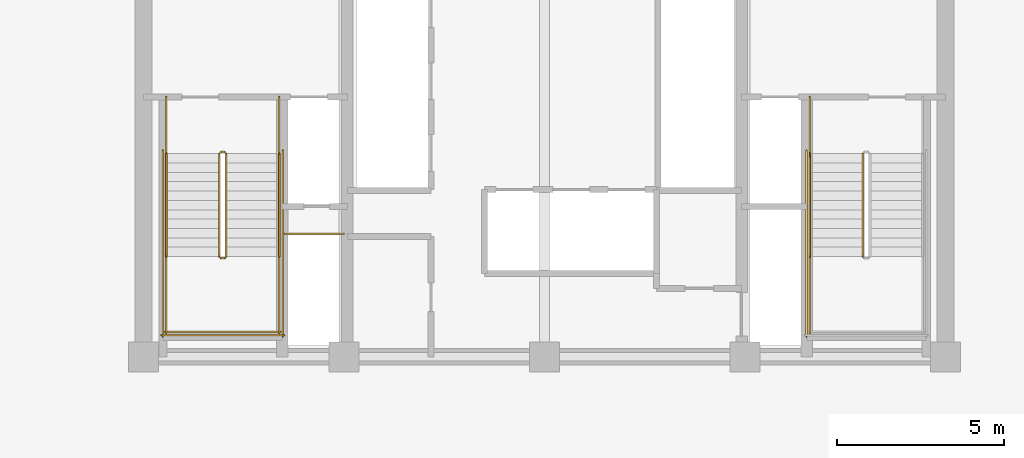
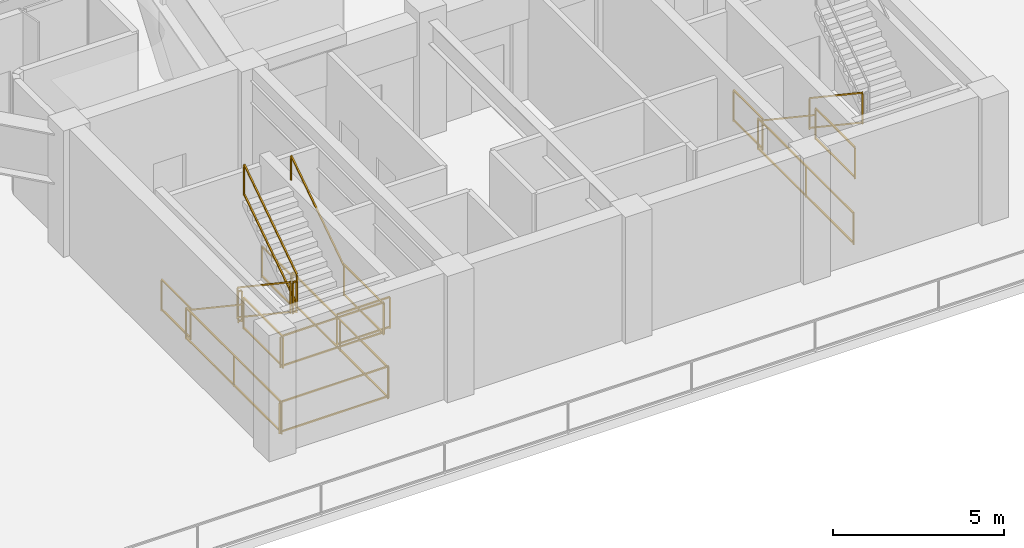
# One storey, part 11 of 14: 20 railings.
"""IFC4 building model written with IfcOpenShell, lengths in metres."""

from ifc_helpers import new_model, si_unit, direction, frame, origin, origin_2d, place, context, subcontext, project, spatial, rectangle, extrude, material, layer, layer_set, type_object, element, save


model = new_model("IFC4")

# Units and contexts
model_context = context("Model", 3, precision=1e-05, world=origin(), true_north=direction((0.0, 1.0)))
body_context = subcontext(model_context, "Body", "Model", "MODEL_VIEW")
ifc_project = project(units=[si_unit("LENGTHUNIT", "METRE"), si_unit("AREAUNIT", "SQUARE_METRE"), si_unit("VOLUMEUNIT", "CUBIC_METRE"), si_unit("PLANEANGLEUNIT", "RADIAN"), si_unit("MASSUNIT", "GRAM", prefix="KILO")], contexts=[model_context])

# Site, building, storey
site_placement = place(None, origin())
site = spatial("IfcSite", under=ifc_project, at=site_placement, CompositionType="ELEMENT")
building_placement = place(site_placement, origin())
building = spatial("IfcBuilding", under=site, at=building_placement, Name="Brelvock Crest Care Tower", CompositionType="ELEMENT")
storey_placement = place(building_placement, frame((0.0, 0.0, 85.320068359375)))
storey = spatial("IfcBuildingStorey", under=building, at=storey_placement, Name="L21", CompositionType="ELEMENT", Elevation=85.320068359375)

# Railings
ifc_material = material(Name="Steel Grade 350", Category="steel")
ifc_layer_1 = layer(ifc_material, 0.050048828125, Name="RL-STG1")
ifc_layer_set_1 = layer_set([ifc_layer_1], Name="Steel Grade 350")
railing_type_1 = type_object("IfcRailingType", Name="RL-STG1", PredefinedType="GUARDRAIL", material=ifc_layer_set_1)
railing_1_placement = place(storey_placement, frame((26.260009765625, 12.080078125, 0.1875)))
element("IfcRailing", 1, at=railing_1_placement, inside=storey, type_object=railing_type_1, Name="L21 ST-1 stair guard 1", PredefinedType="GUARDRAIL", context=body_context, shape_type="SweptSolid", body=[
    extrude(rectangle(XDim=0.048095703125, YDim=0.048095703125, at=origin_2d()), frame((0.0, -0.001708984375, 1.116943359375), z_axis=(0.0, -0.830913701846, 0.55640131208), x_axis=(1.0, 0.0, 0.0)), (0.0, 0.0, 1.0), 3.702880859375),
    extrude(rectangle(XDim=0.048095703125, YDim=0.048095703125, at=origin_2d()), frame((0.0, -0.001708984375, 0.05615234375), z_axis=(0.0, -0.830913701846, 0.55640131208), x_axis=(1.0, 0.0, 0.0)), (0.0, 0.0, 1.0), 3.702880859375),
    extrude(rectangle(XDim=0.0419921875, YDim=0.0419921875, at=origin_2d()), origin(), (0.0, 0.0, 1.0), 1.08984375),
    extrude(rectangle(XDim=0.0419921875, YDim=0.0419921875, at=origin_2d()), frame((0.0, -3.080078125, 2.0625)), (0.0, 0.0, 1.0), 1.08984375),
])
railing_2_placement = place(storey_placement, frame((26.31005859375, 8.949951171875, 2.25)))
element("IfcRailing", 2, at=railing_2_placement, inside=storey, type_object=railing_type_1, Name="L21 ST-1 stair guard 2", PredefinedType="GUARDRAIL", context=body_context, shape_type="SweptSolid", body=[
    extrude(rectangle(XDim=0.048095703125, YDim=0.048095703125, at=origin_2d()), frame((0.001953125, 0.0, 1.11572265625), z_axis=(1.0, 0.0, 0.0), x_axis=(0.0, 1.0, 0.0)), (0.0, 0.0, 1.0), 0.115966796875),
    extrude(rectangle(XDim=0.048095703125, YDim=0.048095703125, at=origin_2d()), frame((0.001953125, 0.0, 0.054931640625), z_axis=(1.0, 0.0, 0.0), x_axis=(0.0, 1.0, 0.0)), (0.0, 0.0, 1.0), 0.115966796875),
    extrude(rectangle(XDim=0.0419921875, YDim=0.0419921875, at=origin_2d()), origin(), (0.0, 0.0, 1.0), 1.08984375),
    extrude(rectangle(XDim=0.0419921875, YDim=0.0419921875, at=origin_2d()), frame((0.119873046875, 0.0, 0.0)), (0.0, 0.0, 1.0), 1.08984375),
])
for number, where, name in (
    (3, (24.679931640625, 9.0, 2.25), "L21 ST-1 stair guard 3"),
    (4, (28.06005859375, 9.0, 2.25), "L21 ST-1 stair guard 4"),
):
    element("IfcRailing", number, at=place(storey_placement, frame(where)), inside=storey, type_object=railing_type_1, Name=name, PredefinedType="GUARDRAIL", context=body_context, shape_type="SweptSolid", body=[
        extrude(rectangle(XDim=0.048095703125, YDim=0.048095703125, at=origin_2d()), frame((0.0, -0.001953125, 1.11572265625), z_axis=(0.0, -1.0, 0.0), x_axis=(1.0, 0.0, 0.0)), (0.0, 0.0, 1.0), 2.296142578125),
        extrude(rectangle(XDim=0.048095703125, YDim=0.048095703125, at=origin_2d()), frame((0.0, -0.001953125, 0.054931640625), z_axis=(0.0, -1.0, 0.0), x_axis=(1.0, 0.0, 0.0)), (0.0, 0.0, 1.0), 2.296142578125),
        extrude(rectangle(XDim=0.0419921875, YDim=0.0419921875, at=origin_2d()), origin(), (0.0, 0.0, 1.0), 1.08984375),
        extrude(rectangle(XDim=0.0419921875, YDim=0.0419921875, at=origin_2d()), frame((0.0, -2.300048828125, 0.0)), (0.0, 0.0, 1.0), 1.08984375),
    ])
railing_3_placement = place(storey_placement, frame((24.6298828125, 6.75, 2.25)))
element("IfcRailing", 5, at=railing_3_placement, inside=storey, type_object=railing_type_1, Name="L21 ST-1 stair guard 5", PredefinedType="GUARDRAIL", context=body_context, shape_type="SweptSolid", body=[
    extrude(rectangle(XDim=0.048095703125, YDim=0.048095703125, at=origin_2d()), frame((0.001953125, 0.0, 1.11572265625), z_axis=(1.0, 0.0, 0.0), x_axis=(0.0, 1.0, 0.0)), (0.0, 0.0, 1.0), 3.476318359375),
    extrude(rectangle(XDim=0.048095703125, YDim=0.048095703125, at=origin_2d()), frame((0.001953125, 0.0, 0.054931640625), z_axis=(1.0, 0.0, 0.0), x_axis=(0.0, 1.0, 0.0)), (0.0, 0.0, 1.0), 3.476318359375),
    extrude(rectangle(XDim=0.0419921875, YDim=0.0419921875, at=origin_2d()), origin(), (0.0, 0.0, 1.0), 1.08984375),
    extrude(rectangle(XDim=0.0419921875, YDim=0.0419921875, at=origin_2d()), frame((3.480224609375, 0.0, 0.0)), (0.0, 0.0, 1.0), 1.08984375),
])
railing_4_placement = place(storey_placement, frame((26.47998046875, 9.0, 2.4375)))
element("IfcRailing", 6, at=railing_4_placement, inside=storey, type_object=railing_type_1, Name="L21 ST-1 stair guard 6", PredefinedType="GUARDRAIL", context=body_context, shape_type="SweptSolid", body=[
    extrude(rectangle(XDim=0.048095703125, YDim=0.048095703125, at=origin_2d()), frame((0.0, 0.001708984375, 1.116943359375), z_axis=(0.0, 0.830913701846, 0.55640131208), x_axis=(-1.0, 0.0, 0.0)), (0.0, 0.0, 1.0), 3.702880859375),
    extrude(rectangle(XDim=0.048095703125, YDim=0.048095703125, at=origin_2d()), frame((0.0, 0.001708984375, 0.05615234375), z_axis=(0.0, 0.830913701846, 0.55640131208), x_axis=(-1.0, 0.0, 0.0)), (0.0, 0.0, 1.0), 3.702880859375),
    extrude(rectangle(XDim=0.0419921875, YDim=0.0419921875, at=origin_2d()), origin(), (0.0, 0.0, 1.0), 1.08984375),
    extrude(rectangle(XDim=0.0419921875, YDim=0.0419921875, at=origin_2d()), frame((0.0, 3.080078125, 2.0625)), (0.0, 0.0, 1.0), 1.08984375),
])
railing_5_placement = place(storey_placement, frame((26.31005859375, 12.1298828125, 0.0)))
element("IfcRailing", 7, at=railing_5_placement, inside=storey, type_object=railing_type_1, Name="L21 ST-1 stair guard 7", PredefinedType="GUARDRAIL", context=body_context, shape_type="SweptSolid", body=[
    extrude(rectangle(XDim=0.048095703125, YDim=0.048095703125, at=origin_2d()), frame((0.001953125, 0.0, 1.11572265625), z_axis=(1.0, 0.0, 0.0), x_axis=(0.0, 1.0, 0.0)), (0.0, 0.0, 1.0), 0.115966796875),
    extrude(rectangle(XDim=0.048095703125, YDim=0.048095703125, at=origin_2d()), frame((0.001953125, 0.0, 0.054931640625), z_axis=(1.0, 0.0, 0.0), x_axis=(0.0, 1.0, 0.0)), (0.0, 0.0, 1.0), 0.115966796875),
    extrude(rectangle(XDim=0.0419921875, YDim=0.0419921875, at=origin_2d()), origin(), (0.0, 0.0, 1.0), 1.08984375),
    extrude(rectangle(XDim=0.0419921875, YDim=0.0419921875, at=origin_2d()), frame((0.119873046875, 0.0, 0.0)), (0.0, 0.0, 1.0), 1.08984375),
])
for number, where, name in (
    (8, (24.679931640625, 13.780029296875, 0.0), "L21 ST-1 stair guard 8"),
    (9, (28.06005859375, 13.780029296875, 0.0), "L21 ST-1 stair guard 9"),
):
    element("IfcRailing", number, at=place(storey_placement, frame(where)), inside=storey, type_object=railing_type_1, Name=name, PredefinedType="GUARDRAIL", context=body_context, shape_type="SweptSolid", body=[
        extrude(rectangle(XDim=0.048095703125, YDim=0.048095703125, at=origin_2d()), frame((0.0, -0.001953125, 1.11572265625), z_axis=(0.0, -1.0, 0.0), x_axis=(1.0, 0.0, 0.0)), (0.0, 0.0, 1.0), 1.696044921875),
        extrude(rectangle(XDim=0.048095703125, YDim=0.048095703125, at=origin_2d()), frame((0.0, -0.001953125, 0.054931640625), z_axis=(0.0, -1.0, 0.0), x_axis=(1.0, 0.0, 0.0)), (0.0, 0.0, 1.0), 1.696044921875),
        extrude(rectangle(XDim=0.0419921875, YDim=0.0419921875, at=origin_2d()), origin(), (0.0, 0.0, 1.0), 1.08984375),
        extrude(rectangle(XDim=0.0419921875, YDim=0.0419921875, at=origin_2d()), frame((0.0, -1.699951171875, 0.0)), (0.0, 0.0, 1.0), 1.08984375),
    ])
for number, where, name in (
    (10, (24.580078125, 12.179931640625, 0.0), "L21 ST-1 stair guard 10"),
    (11, (28.159912109375, 12.179931640625, 0.0), "L21 ST-1 stair guard 11"),
):
    element("IfcRailing", number, at=place(storey_placement, frame(where)), inside=storey, type_object=railing_type_1, Name=name, PredefinedType="GUARDRAIL", context=body_context, shape_type="SweptSolid", body=[
        extrude(rectangle(XDim=0.048095703125, YDim=0.048095703125, at=origin_2d()), frame((0.0, -0.001953125, 1.11572265625), z_axis=(0.0, -1.0, 0.0), x_axis=(1.0, 0.0, 0.0)), (0.0, 0.0, 1.0), 5.575927734375),
        extrude(rectangle(XDim=0.048095703125, YDim=0.048095703125, at=origin_2d()), frame((0.0, -0.001953125, 0.054931640625), z_axis=(0.0, -1.0, 0.0), x_axis=(1.0, 0.0, 0.0)), (0.0, 0.0, 1.0), 5.575927734375),
        extrude(rectangle(XDim=0.0419921875, YDim=0.0419921875, at=origin_2d()), origin(), (0.0, 0.0, 1.0), 1.08984375),
        extrude(rectangle(XDim=0.0419921875, YDim=0.0419921875, at=origin_2d()), frame((0.0, -2.7900390625, 0.0)), (0.0, 0.0, 1.0), 1.08984375),
        extrude(rectangle(XDim=0.0419921875, YDim=0.0419921875, at=origin_2d()), frame((0.0, -5.579833984375, 0.0)), (0.0, 0.0, 1.0), 1.08984375),
    ])
railing_6_placement = place(storey_placement, frame((24.530029296875, 6.64990234375, 0.0)))
element("IfcRailing", 12, at=railing_6_placement, inside=storey, type_object=railing_type_1, Name="L21 ST-1 stair guard 12", PredefinedType="GUARDRAIL", context=body_context, shape_type="SweptSolid", body=[
    extrude(rectangle(XDim=0.048095703125, YDim=0.048095703125, at=origin_2d()), frame((0.001953125, 0.0, 1.11572265625), z_axis=(1.0, 0.0, 0.0), x_axis=(0.0, 1.0, 0.0)), (0.0, 0.0, 1.0), 3.676025390625),
    extrude(rectangle(XDim=0.048095703125, YDim=0.048095703125, at=origin_2d()), frame((0.001953125, 0.0, 0.054931640625), z_axis=(1.0, 0.0, 0.0), x_axis=(0.0, 1.0, 0.0)), (0.0, 0.0, 1.0), 3.676025390625),
    extrude(rectangle(XDim=0.0419921875, YDim=0.0419921875, at=origin_2d()), origin(), (0.0, 0.0, 1.0), 1.08984375),
    extrude(rectangle(XDim=0.0419921875, YDim=0.0419921875, at=origin_2d()), frame((3.679931640625, 0.0, 0.0)), (0.0, 0.0, 1.0), 1.08984375),
])
railing_7_placement = place(storey_placement, frame((45.52001953125, 12.080078125, 0.1875)))
element("IfcRailing", 13, at=railing_7_placement, inside=storey, type_object=railing_type_1, Name="L21 ST-2 stair guard 1", PredefinedType="GUARDRAIL", context=body_context, shape_type="SweptSolid", body=[
    extrude(rectangle(XDim=0.048095703125, YDim=0.048095703125, at=origin_2d()), frame((0.0, -0.001708984375, 1.116943359375), z_axis=(0.0, -0.830913701846, 0.55640131208), x_axis=(1.0, 0.0, 0.0)), (0.0, 0.0, 1.0), 3.702880859375),
    extrude(rectangle(XDim=0.048095703125, YDim=0.048095703125, at=origin_2d()), frame((0.0, -0.001708984375, 0.05615234375), z_axis=(0.0, -0.830913701846, 0.55640131208), x_axis=(1.0, 0.0, 0.0)), (0.0, 0.0, 1.0), 3.702880859375),
    extrude(rectangle(XDim=0.0419921875, YDim=0.0419921875, at=origin_2d()), origin(), (0.0, 0.0, 1.0), 1.08984375),
    extrude(rectangle(XDim=0.0419921875, YDim=0.0419921875, at=origin_2d()), frame((0.0, -3.080078125, 2.0625)), (0.0, 0.0, 1.0), 1.08984375),
])
railing_8_placement = place(storey_placement, frame((43.93994140625, 9.0, 2.25)))
element("IfcRailing", 14, at=railing_8_placement, inside=storey, type_object=railing_type_1, Name="L21 ST-2 stair guard 3", PredefinedType="GUARDRAIL", context=body_context, shape_type="SweptSolid", body=[
    extrude(rectangle(XDim=0.048095703125, YDim=0.048095703125, at=origin_2d()), frame((0.0, -0.001953125, 1.11572265625), z_axis=(0.0, -1.0, 0.0), x_axis=(1.0, 0.0, 0.0)), (0.0, 0.0, 1.0), 2.296142578125),
    extrude(rectangle(XDim=0.048095703125, YDim=0.048095703125, at=origin_2d()), frame((0.0, -0.001953125, 0.054931640625), z_axis=(0.0, -1.0, 0.0), x_axis=(1.0, 0.0, 0.0)), (0.0, 0.0, 1.0), 2.296142578125),
    extrude(rectangle(XDim=0.0419921875, YDim=0.0419921875, at=origin_2d()), origin(), (0.0, 0.0, 1.0), 1.08984375),
    extrude(rectangle(XDim=0.0419921875, YDim=0.0419921875, at=origin_2d()), frame((0.0, -2.300048828125, 0.0)), (0.0, 0.0, 1.0), 1.08984375),
])
railing_9_placement = place(storey_placement, frame((43.93994140625, 13.780029296875, 0.0)))
element("IfcRailing", 15, at=railing_9_placement, inside=storey, type_object=railing_type_1, Name="L21 ST-2 stair guard 8", PredefinedType="GUARDRAIL", context=body_context, shape_type="SweptSolid", body=[
    extrude(rectangle(XDim=0.048095703125, YDim=0.048095703125, at=origin_2d()), frame((0.0, -0.001953125, 1.11572265625), z_axis=(0.0, -1.0, 0.0), x_axis=(1.0, 0.0, 0.0)), (0.0, 0.0, 1.0), 1.696044921875),
    extrude(rectangle(XDim=0.048095703125, YDim=0.048095703125, at=origin_2d()), frame((0.0, -0.001953125, 0.054931640625), z_axis=(0.0, -1.0, 0.0), x_axis=(1.0, 0.0, 0.0)), (0.0, 0.0, 1.0), 1.696044921875),
    extrude(rectangle(XDim=0.0419921875, YDim=0.0419921875, at=origin_2d()), origin(), (0.0, 0.0, 1.0), 1.08984375),
    extrude(rectangle(XDim=0.0419921875, YDim=0.0419921875, at=origin_2d()), frame((0.0, -1.699951171875, 0.0)), (0.0, 0.0, 1.0), 1.08984375),
])
railing_10_placement = place(storey_placement, frame((43.840087890625, 12.179931640625, 0.0)))
element("IfcRailing", 16, at=railing_10_placement, inside=storey, type_object=railing_type_1, Name="L21 ST-2 stair guard 10", PredefinedType="GUARDRAIL", context=body_context, shape_type="SweptSolid", body=[
    extrude(rectangle(XDim=0.048095703125, YDim=0.048095703125, at=origin_2d()), frame((0.0, -0.001953125, 1.11572265625), z_axis=(0.0, -1.0, 0.0), x_axis=(1.0, 0.0, 0.0)), (0.0, 0.0, 1.0), 5.575927734375),
    extrude(rectangle(XDim=0.048095703125, YDim=0.048095703125, at=origin_2d()), frame((0.0, -0.001953125, 0.054931640625), z_axis=(0.0, -1.0, 0.0), x_axis=(1.0, 0.0, 0.0)), (0.0, 0.0, 1.0), 5.575927734375),
    extrude(rectangle(XDim=0.0419921875, YDim=0.0419921875, at=origin_2d()), origin(), (0.0, 0.0, 1.0), 1.08984375),
    extrude(rectangle(XDim=0.0419921875, YDim=0.0419921875, at=origin_2d()), frame((0.0, -2.7900390625, 0.0)), (0.0, 0.0, 1.0), 1.08984375),
    extrude(rectangle(XDim=0.0419921875, YDim=0.0419921875, at=origin_2d()), frame((0.0, -5.579833984375, 0.0)), (0.0, 0.0, 1.0), 1.08984375),
])
railing_11_placement = place(storey_placement, frame((28.219970703125, 9.679931640625, 0.0)))
element("IfcRailing", 17, at=railing_11_placement, inside=storey, type_object=railing_type_1, Name="L21 Fire Riser Threshold Guard", PredefinedType="GUARDRAIL", context=body_context, shape_type="SweptSolid", body=[
    extrude(rectangle(XDim=0.048095703125, YDim=0.048095703125, at=origin_2d()), frame((0.001953125, 0.0, 1.11572265625), z_axis=(1.0, 0.0, 0.0), x_axis=(0.0, 1.0, 0.0)), (0.0, 0.0, 1.0), 1.776123046875),
    extrude(rectangle(XDim=0.048095703125, YDim=0.048095703125, at=origin_2d()), frame((0.001953125, 0.0, 0.054931640625), z_axis=(1.0, 0.0, 0.0), x_axis=(0.0, 1.0, 0.0)), (0.0, 0.0, 1.0), 1.776123046875),
    extrude(rectangle(XDim=0.0419921875, YDim=0.0419921875, at=origin_2d()), origin(), (0.0, 0.0, 1.0), 1.08984375),
    extrude(rectangle(XDim=0.0419921875, YDim=0.0419921875, at=origin_2d()), frame((1.780029296875, 0.0, 0.0)), (0.0, 0.0, 1.0), 1.08984375),
])
ifc_layer_2 = layer(ifc_material, 0.048095703125, Name="RL-STH1")
ifc_layer_set_2 = layer_set([ifc_layer_2], Name="Steel Grade 350")
railing_type_2 = type_object("IfcRailingType", Name="RL-STH1", PredefinedType="HANDRAIL", material=ifc_layer_set_2)
railing_12_placement = place(storey_placement, frame((24.679931640625, 12.080078125, 0.1875)))
element("IfcRailing", 18, at=railing_12_placement, inside=storey, type_object=railing_type_2, Name="L21 ST-1 stair handrail 1", PredefinedType="HANDRAIL", context=body_context, shape_type="SweptSolid", body=[
    extrude(rectangle(XDim=0.048095703125, YDim=0.048095703125, at=origin_2d()), frame((0.0, -0.001708984375, 0.876953125), z_axis=(0.0, -0.830913701846, 0.55640131208), x_axis=(1.0, 0.0, 0.0)), (0.0, 0.0, 1.0), 3.702880859375),
    extrude(rectangle(XDim=0.0419921875, YDim=0.0419921875, at=origin_2d()), origin(), (0.0, 0.0, 1.0), 0.849853515625),
    extrude(rectangle(XDim=0.0419921875, YDim=0.0419921875, at=origin_2d()), frame((0.0, -3.080078125, 2.0625)), (0.0, 0.0, 1.0), 0.849853515625),
])
railing_13_placement = place(storey_placement, frame((28.06005859375, 9.0, 2.4375)))
element("IfcRailing", 19, at=railing_13_placement, inside=storey, type_object=railing_type_2, Name="L21 ST-1 stair handrail 2", PredefinedType="HANDRAIL", context=body_context, shape_type="SweptSolid", body=[
    extrude(rectangle(XDim=0.048095703125, YDim=0.048095703125, at=origin_2d()), frame((0.0, 0.001708984375, 0.876953125), z_axis=(0.0, 0.830913701846, 0.55640131208), x_axis=(-1.0, 0.0, 0.0)), (0.0, 0.0, 1.0), 3.702880859375),
    extrude(rectangle(XDim=0.0419921875, YDim=0.0419921875, at=origin_2d()), origin(), (0.0, 0.0, 1.0), 0.849853515625),
    extrude(rectangle(XDim=0.0419921875, YDim=0.0419921875, at=origin_2d()), frame((0.0, 3.080078125, 2.0625)), (0.0, 0.0, 1.0), 0.849853515625),
])
railing_14_placement = place(storey_placement, frame((43.93994140625, 12.080078125, 0.1875)))
element("IfcRailing", 20, at=railing_14_placement, inside=storey, type_object=railing_type_2, Name="L21 ST-2 stair handrail 1", PredefinedType="HANDRAIL", context=body_context, shape_type="SweptSolid", body=[
    extrude(rectangle(XDim=0.048095703125, YDim=0.048095703125, at=origin_2d()), frame((0.0, -0.001708984375, 0.876953125), z_axis=(0.0, -0.830913701846, 0.55640131208), x_axis=(1.0, 0.0, 0.0)), (0.0, 0.0, 1.0), 3.702880859375),
    extrude(rectangle(XDim=0.0419921875, YDim=0.0419921875, at=origin_2d()), origin(), (0.0, 0.0, 1.0), 0.849853515625),
    extrude(rectangle(XDim=0.0419921875, YDim=0.0419921875, at=origin_2d()), frame((0.0, -3.080078125, 2.0625)), (0.0, 0.0, 1.0), 0.849853515625),
])

save(model, "model.ifc")
